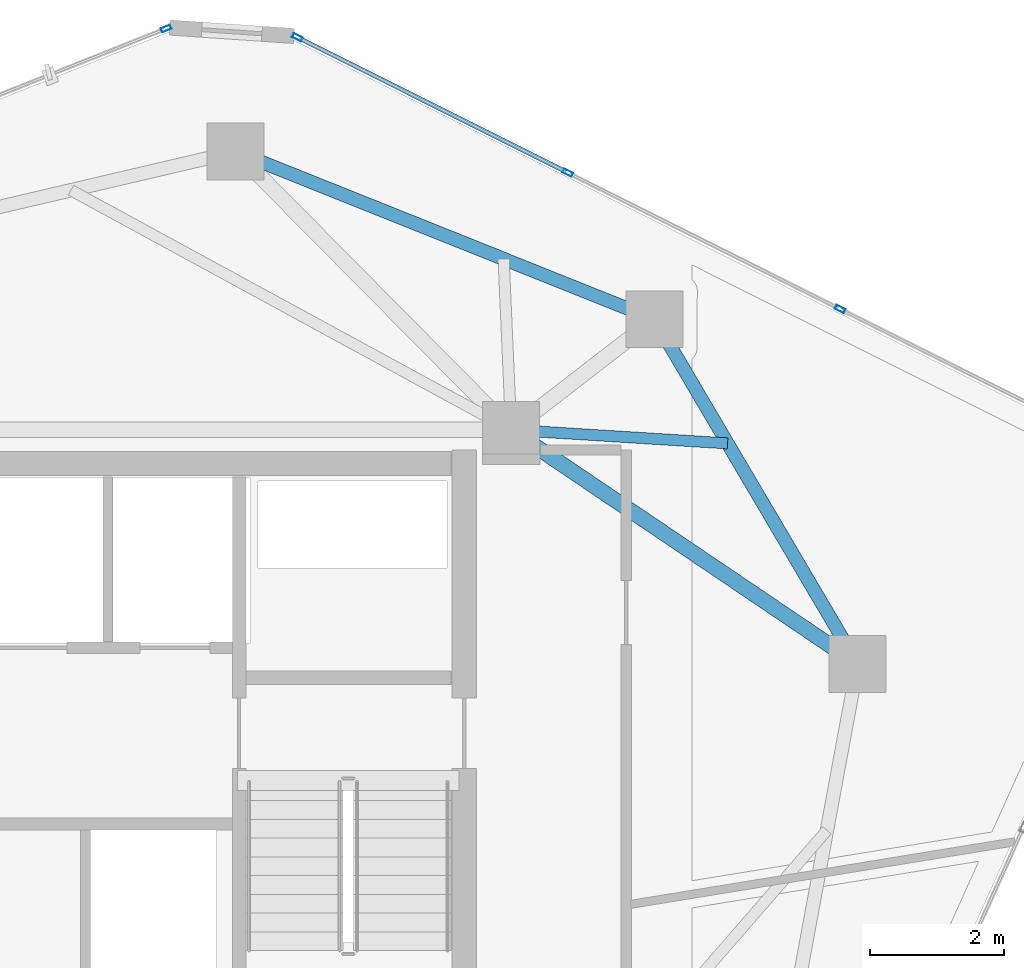
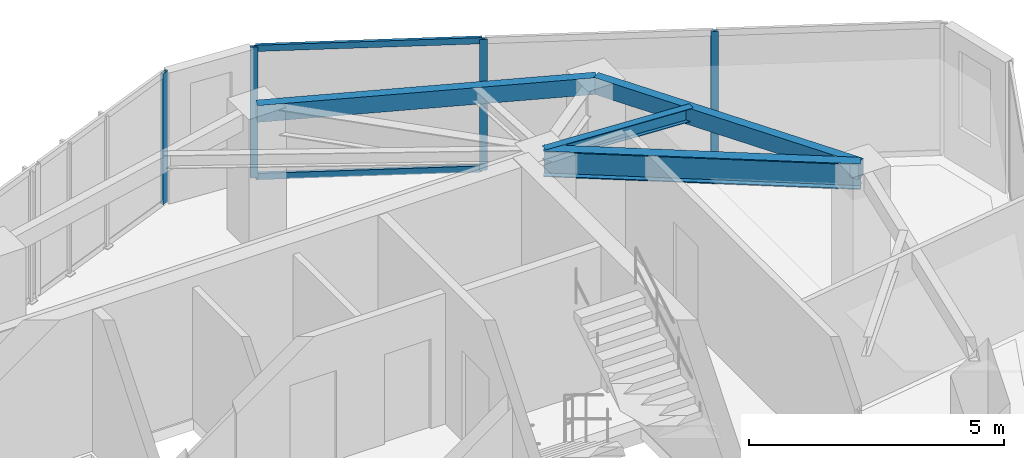
# One storey, part 14 of 20: 6 members, 4 beams, 2 elements without a shape of their own.
"""IFC4 building model written with IfcOpenShell, lengths in metres."""

import ifcopenshell
import ifcopenshell.guid

model = None  # the IFC model being written
_history = None  # IfcOwnerHistory: only IFC2X3 demands one
_inside = {}  # id of a spatial element -> (the spatial element, [elements in it])
_under = {}  # id of a project, library or spatial element -> (it, [spatial elements below it])
_declared = {}  # id of a project -> (the project, [libraries it declares])
_typed = {}  # id of a type object -> (the type object, [elements of that type])
_made_of = {}  # id of a material, layer set ... -> (it, [elements and type objects made of it])


def new_model(schema):
    """Start an empty IFC model of exactly this schema.

    Asked for "IFC4X3", IfcOpenShell would pick the latest addendum, in which some entities
    have other attributes; the version numbers below select the first issue.
    IFC2X3 requires an IfcOwnerHistory on every rooted entity: one is made here for all.
    """
    global model, _history
    if schema == "IFC4X3":
        model = ifcopenshell.file(schema_version=(4, 3, 0, 0))
    else:
        model = ifcopenshell.file(schema=schema)
    _inside.clear()
    _under.clear()
    _declared.clear()
    _typed.clear()
    _made_of.clear()
    _history = None
    if model.schema == "IFC2X3":
        org = make("IfcOrganization", Name="unknown")
        user = make(
            "IfcPersonAndOrganization",
            ThePerson=make("IfcPerson", FamilyName="unknown"),
            TheOrganization=org,
        )
        app = make(
            "IfcApplication",
            ApplicationDeveloper=org,
            Version="unknown",
            ApplicationFullName="unknown",
            ApplicationIdentifier="unknown",
        )
        _history = make(
            "IfcOwnerHistory",
            OwningUser=user,
            OwningApplication=app,
            ChangeAction="ADDED",
            CreationDate=0,
        )
    return model


def make(cls, **values):
    """One entity of the class cls with the attributes given. An attribute that is None is left unset."""
    return model.create_entity(
        cls, **{name: value for name, value in values.items() if value is not None}
    )


def rooted(cls, **values):
    """An entity with a GlobalId (a new one), such as an element, a storey or a relation."""
    return make(cls, GlobalId=ifcopenshell.guid.new(), OwnerHistory=_history, **values)


def si_unit(unit_type, name, prefix=None):
    """IfcSIUnit, for example si_unit("LENGTHUNIT", "METRE", prefix="MILLI")."""
    return make("IfcSIUnit", UnitType=unit_type, Prefix=prefix, Name=name)


def assignment(units):
    """IfcUnitAssignment: the units of a project."""
    return None if units is None else make("IfcUnitAssignment", Units=units)


def point(xyz):
    """IfcCartesianPoint."""
    return None if xyz is None else make("IfcCartesianPoint", Coordinates=xyz)


def direction(xyz):
    """IfcDirection."""
    return None if xyz is None else make("IfcDirection", DirectionRatios=xyz)


def frame(location, z_axis=None, x_axis=None):
    """IfcAxis2Placement3D, a coordinate frame: its origin and axes. An axis left out is left unset."""
    return make(
        "IfcAxis2Placement3D",
        Location=point(location),
        Axis=direction(z_axis),
        RefDirection=direction(x_axis),
    )


def frame_2d(location, x_axis=None):
    """IfcAxis2Placement2D, a coordinate frame in the plane: its origin and x axis."""
    return make(
        "IfcAxis2Placement2D", Location=point(location), RefDirection=direction(x_axis)
    )


def origin():
    """The frame at (0, 0, 0) with its axes left unset."""
    return frame((0.0, 0.0, 0.0))


def origin_2d():
    """The frame at (0, 0) in the plane with its x axis left unset."""
    return frame_2d((0.0, 0.0))


def place(relative_to, where):
    """IfcLocalPlacement: puts the frame where relative to a parent placement (None: the world)."""
    return make(
        "IfcLocalPlacement", PlacementRelTo=relative_to, RelativePlacement=where
    )


def context(
    kind, dimensions, precision=None, world=None, true_north=None, identifier=None
):
    """IfcGeometricRepresentationContext, for example the 3D "Model" context."""
    return make(
        "IfcGeometricRepresentationContext",
        ContextIdentifier=identifier,
        ContextType=kind,
        CoordinateSpaceDimension=dimensions,
        Precision=precision,
        WorldCoordinateSystem=world,
        TrueNorth=true_north,
    )


def subcontext(parent, identifier, kind, view, scale=None):
    """IfcGeometricRepresentationSubContext, for example "Body" below "Model"."""
    return make(
        "IfcGeometricRepresentationSubContext",
        ContextIdentifier=identifier,
        ContextType=kind,
        ParentContext=parent,
        TargetScale=scale,
        TargetView=view,
    )


def project(units=None, contexts=None):
    """IfcProject with its units and contexts."""
    return rooted(
        "IfcProject",
        Name="project",
        RepresentationContexts=contexts,
        UnitsInContext=assignment(units),
    )


def spatial(cls, under=None, at=None, **own):
    """A site, building, storey or space (cls), placed at a placement, below another one or the project."""
    s = rooted(cls, ObjectPlacement=at, **own)
    if under is not None:
        _under.setdefault(under.id(), (under, []))[1].append(s)
    return s


def profile(cls, at=None, kind="AREA", **sizes):
    """A parametric profile (cls). Its sizes go by their IFC names, for example OverallWidth=200.0."""
    return make(cls, ProfileType=kind, Position=at, **sizes)


def hollow_rectangle(**sizes):
    """IfcRectangleHollowProfileDef."""
    return profile("IfcRectangleHollowProfileDef", **sizes)


def i_section(**sizes):
    """IfcIShapeProfileDef."""
    return profile("IfcIShapeProfileDef", **sizes)


def extrude(swept, where, along, depth):
    """IfcExtrudedAreaSolid: the profile swept, set in the frame where, extruded along a direction by depth."""
    return make(
        "IfcExtrudedAreaSolid",
        SweptArea=swept,
        Position=where,
        ExtrudedDirection=direction(along),
        Depth=depth,
    )


def shape(context_of_items, identifier, shape_type, items):
    """IfcShapeRepresentation: the items that make up one representation, for example the "Body"."""
    return make(
        "IfcShapeRepresentation",
        ContextOfItems=context_of_items,
        RepresentationIdentifier=identifier,
        RepresentationType=shape_type,
        Items=items,
    )


def source(mapping_origin, context_of_items, identifier, shape_type, items):
    """IfcRepresentationMap: a shape defined once, which mapped items show again and again."""
    return make(
        "IfcRepresentationMap",
        MappingOrigin=mapping_origin,
        MappedRepresentation=shape(context_of_items, identifier, shape_type, items),
    )


def transform(
    local_origin,
    x_axis=None,
    y_axis=None,
    z_axis=None,
    scale=None,
    scale2=None,
    scale3=None,
    uniform=True,
):
    """IfcCartesianTransformationOperator3D, or its non-uniform kind. x_axis, y_axis, z_axis: its Axis1, 2, 3."""
    if uniform:
        return make(
            "IfcCartesianTransformationOperator3D",
            Axis1=direction(x_axis),
            Axis2=direction(y_axis),
            LocalOrigin=point(local_origin),
            Scale=scale,
            Axis3=direction(z_axis),
        )
    return make(
        "IfcCartesianTransformationOperator3DnonUniform",
        Axis1=direction(x_axis),
        Axis2=direction(y_axis),
        LocalOrigin=point(local_origin),
        Scale=scale,
        Axis3=direction(z_axis),
        Scale2=scale2,
        Scale3=scale3,
    )


def mapped(mapping_source, mapping_target):
    """IfcMappedItem: shows the shape of a source again, moved by a transform."""
    return make(
        "IfcMappedItem", MappingSource=mapping_source, MappingTarget=mapping_target
    )


def material(Name=None, Category=None):
    """IfcMaterial."""
    return make("IfcMaterial", Name=Name, Category=Category)


def layer(
    of_material, thickness, ventilated=None, Name=None, Category=None, Priority=None
):
    """IfcMaterialLayer: one layer of a wall or slab, of a material (None: an air gap)."""
    return make(
        "IfcMaterialLayer",
        Material=of_material,
        LayerThickness=thickness,
        IsVentilated=ventilated,
        Name=Name,
        Category=Category,
        Priority=Priority,
    )


def layer_set(layers, Name=None):
    """IfcMaterialLayerSet."""
    return make("IfcMaterialLayerSet", MaterialLayers=layers, LayerSetName=Name)


def material_profile(
    of_material, cross_section, Name=None, Category=None, Priority=None
):
    """IfcMaterialProfile: a cross section and its material."""
    return make(
        "IfcMaterialProfile",
        Name=Name,
        Material=of_material,
        Profile=cross_section,
        Priority=Priority,
        Category=Category,
    )


def profile_set(profiles, Name=None, composite=None):
    """IfcMaterialProfileSet."""
    return make(
        "IfcMaterialProfileSet",
        Name=Name,
        MaterialProfiles=profiles,
        CompositeProfile=composite,
    )


def made_of(thing, what):
    """Note that an element or type object is made of a material, layer set ...; save() writes the relation."""
    if what is not None:
        _made_of.setdefault(what.id(), (what, []))[1].append(thing)
    return thing


def type_object(cls, material=None, **own):
    """A type object (cls), such as IfcWallType, which elements share."""
    return made_of(rooted(cls, **own), material)


def type_shapes(of_type, sources):
    """Give a type object the sources (RepresentationMaps) that its elements show as mapped items."""
    of_type.RepresentationMaps = sources


def element(
    cls,
    number,
    at=None,
    inside=None,
    cuts=None,
    type_object=None,
    material=None,
    context=None,
    identifier="Body",
    shape_type=None,
    held_by="IfcProductDefinitionShape",
    body=None,
    shapes=None,
    **own,
):
    """One element of the class cls, such as IfcWall. Its Tag is "e" and its number.

    at: its placement. inside: the storey or other place that contains it. cuts: it is an
    opening in that element (IfcRelVoidsElement). A single representation is given by context,
    identifier, shape_type and body (its items); several are given by shapes. held_by: the class
    of the entity that holds the representations. save() writes the other relations.
    """
    e = rooted(cls, Tag="e%d" % number, ObjectPlacement=at, **own)
    if body is not None:
        shapes = [shape(context, identifier, shape_type, body)]
    if shapes is not None:
        e.Representation = make(held_by, Representations=shapes)
    if inside is not None:
        _inside.setdefault(inside.id(), (inside, []))[1].append(e)
    if cuts is not None:
        rooted(
            "IfcRelVoidsElement", RelatingBuildingElement=cuts, RelatedOpeningElement=e
        )
    if type_object is not None:
        _typed.setdefault(type_object.id(), (type_object, []))[1].append(e)
    return made_of(e, material)


def aggregate(whole, parts):
    """IfcRelAggregates: a whole, such as a stair, and the parts it consists of."""
    return rooted("IfcRelAggregates", RelatingObject=whole, RelatedObjects=parts)


def save(model, path):
    """Write the relations noted so far, then the file.

    IfcRelAggregates (storeys below a building ...), IfcRelContainedInSpatialStructure (elements
    in a storey), IfcRelDefinesByType, IfcRelAssociatesMaterial and IfcRelDeclares: one each for
    every whole, place, type object, material and project.
    """
    for whole, parts in _under.values():
        aggregate(whole, parts)
    for where, things in _inside.values():
        rooted(
            "IfcRelContainedInSpatialStructure",
            RelatedElements=things,
            RelatingStructure=where,
        )
    for kind, things in _typed.values():
        rooted("IfcRelDefinesByType", RelatedObjects=things, RelatingType=kind)
    for what, things in _made_of.values():
        rooted("IfcRelAssociatesMaterial", RelatedObjects=things, RelatingMaterial=what)
    for by, libraries in _declared.values():
        rooted("IfcRelDeclares", RelatingContext=by, RelatedDefinitions=libraries)
    model.write(path)


model = new_model("IFC4")

# Units and contexts
model_context = context("Model", 3, precision=1e-05, world=origin(), true_north=direction((0.0, 1.0)))
body_context = subcontext(model_context, "Body", "Model", "MODEL_VIEW")
ifc_project = project(units=[si_unit("LENGTHUNIT", "METRE"), si_unit("AREAUNIT", "SQUARE_METRE"), si_unit("VOLUMEUNIT", "CUBIC_METRE"), si_unit("PLANEANGLEUNIT", "RADIAN"), si_unit("MASSUNIT", "GRAM", prefix="KILO")], contexts=[model_context])

# Site, building, storey
site_placement = place(None, origin())
site = spatial("IfcSite", under=ifc_project, at=site_placement, CompositionType="ELEMENT")
building_placement = place(site_placement, origin())
building = spatial("IfcBuilding", under=site, at=building_placement, Name="Talar Marvaseh", CompositionType="ELEMENT")
storey_placement = place(building_placement, frame((0.0, 0.0, 278.199951171875)))
storey = spatial("IfcBuildingStorey", under=building, at=storey_placement, Name="L74", CompositionType="ELEMENT", Elevation=278.199951171875)

# Beams
ifc_material_1 = material(Name="Steel S355", Category="steel")
ifc_material_profile_1 = material_profile(ifc_material_1, hollow_rectangle(XDim=0.199951171875, YDim=0.39990234375, WallThickness=0.013916015625, at=origin_2d()), Name="RHS400x200x14")
ifc_profile_set_1 = profile_set([ifc_material_profile_1], Name="Steel S355")
beam_type_1 = type_object("IfcBeamType", Name="Zone 3 Perimeter Spandrel Beam RHS400x200x14", PredefinedType="SPANDREL", material=ifc_profile_set_1)
beam_1_placement = place(storey_placement, frame((29.18798828125, 41.052001953125, 2.93994140625), z_axis=(0.928426659475, -0.371515730456, 0.0), x_axis=(0.371515730456, 0.928426659475, 0.0)))
element("IfcBeam", 1, at=beam_1_placement, inside=storey, type_object=beam_type_1, Name="L74 Zone 3 Perimeter Spandrel Beam RHS400x200x14", PredefinedType="SPANDREL", context=body_context, shape_type="SweptSolid", body=[
    extrude(hollow_rectangle(XDim=0.199951171875, YDim=0.39990234375, WallThickness=0.013916015625, at=origin_2d()), origin(), (0.0, 0.0, 1.0), 6.73193359375),
])
beam_2_placement = place(storey_placement, frame((35.43798828125, 38.551025390625, 2.93994140625), z_axis=(0.507825587611, -0.861459907696, 0.0), x_axis=(0.861459907696, 0.507825587611, 0.0)))
element("IfcBeam", 2, at=beam_2_placement, inside=storey, type_object=beam_type_1, Name="L74 Zone 3 Perimeter Spandrel Beam RHS400x200x14", PredefinedType="SPANDREL", context=body_context, shape_type="SweptSolid", body=[
    extrude(hollow_rectangle(XDim=0.199951171875, YDim=0.39990234375, WallThickness=0.013916015625, at=origin_2d()), origin(), (0.0, 0.0, 1.0), 5.972412109375),
])
ifc_material_profile_2 = material_profile(ifc_material_1, i_section(OverallWidth=0.166015625, OverallDepth=0.31298828125, WebThickness=0.006591796875, FlangeThickness=0.01123046875, at=origin_2d()), Name="W310x45")
ifc_profile_set_2 = profile_set([ifc_material_profile_2], Name="Steel S355")
beam_type_2 = type_object("IfcBeamType", Name="Zone 3 Secondary Floor Joist W310x45", PredefinedType="JOIST", material=ifc_profile_set_2)
beam_3_placement = place(storey_placement, frame((36.52978515625, 36.69873046875, 2.983642578125), z_axis=(-0.998065766367, 0.062166920515, 0.0), x_axis=(-0.062166920515, -0.998065766367, 0.0)))
element("IfcBeam", 3, at=beam_3_placement, inside=storey, type_object=beam_type_2, Name="L74 Zone 3 Secondary Floor Joist W310x45", PredefinedType="JOIST", context=body_context, shape_type="SweptSolid", body=[
    extrude(i_section(OverallWidth=0.166015625, OverallDepth=0.31298828125, WebThickness=0.006591796875, FlangeThickness=0.01123046875, at=origin_2d()), origin(), (0.0, 0.0, 1.0), 3.236083984375),
])
ifc_material_profile_3 = material_profile(ifc_material_1, i_section(OverallWidth=0.22998046875, OverallDepth=0.616943359375, WebThickness=0.01318359375, FlangeThickness=0.022216796875, at=origin_2d()), Name="W610x140")
ifc_profile_set_3 = profile_set([ifc_material_profile_3], Name="Steel S355")
beam_type_3 = type_object("IfcBeamType", Name="Zone 4 Radial Floor Girder W610x140", PredefinedType="BEAM", material=ifc_profile_set_3)
beam_4_placement = place(storey_placement, frame((38.470947265625, 33.406005859375, 2.83154296875), z_axis=(-0.828585535277, 0.559862492698, 0.0), x_axis=(-0.559862492698, -0.828585535277, 0.0)))
element("IfcBeam", 4, at=beam_4_placement, inside=storey, type_object=beam_type_3, Name="L74 Zone 4 Radial Floor Girder W610x140", PredefinedType="BEAM", context=body_context, shape_type="SweptSolid", body=[
    extrude(i_section(OverallWidth=0.22998046875, OverallDepth=0.616943359375, WebThickness=0.01318359375, FlangeThickness=0.022216796875, at=origin_2d()), origin(), (0.0, 0.0, 1.0), 6.24072265625),
])

# Curtain wall, members
ifc_material_2 = material(Name="Architectural Aluminium", Category="aluminium")
ifc_layer = layer(ifc_material_2, 0.179931640625)
ifc_layer_set = layer_set([ifc_layer], Name="Architectural Aluminium")
curtain_wall_type = type_object("IfcCurtainWallType", Name="Unitised High-Wind Sky Curtain Wall Z4", PredefinedType="NOTDEFINED", material=ifc_layer_set)
curtain_wall_1_placement = place(storey_placement, origin())
curtain_wall_1 = element("IfcCurtainWall", 5, at=curtain_wall_1_placement, inside=storey, type_object=curtain_wall_type, Name="L74 Unitised High-Wind Sky Curtain Wall Z4", PredefinedType="NOTDEFINED")
ifc_material_profile_4 = material_profile(ifc_material_2, hollow_rectangle(XDim=0.06494140625, YDim=0.14990234375, WallThickness=0.00390625, at=origin_2d()), Name="RHS150x65x4")
ifc_profile_set_4 = profile_set([ifc_material_profile_4], Name="Architectural Aluminium")
member_type_1 = type_object("IfcMemberType", Name="Unitised Curtain Wall Slim Transom RHS150x65x4", PredefinedType="USERDEFINED", material=ifc_profile_set_4)
shared_shape_1 = source(origin(), body_context, "Body", "SweptSolid", [
    extrude(hollow_rectangle(XDim=0.06494140625, YDim=0.14990234375, WallThickness=0.00390625, at=origin_2d()), origin(), (0.0, 0.0, 1.0), 4.447509765625),
])
type_shapes(member_type_1, [shared_shape_1])
member_1_placement = place(storey_placement, frame((30.14013671875, 42.743408203125, 0.032470703125), z_axis=(0.894174534279, -0.447718552494, 0.0), x_axis=(0.447718552494, 0.894174534279, 0.0)))
member_1 = element("IfcMember", 6, at=member_1_placement, type_object=member_type_1, Name="CW-Z4 transom 1.1", ObjectType="TRANSOM", PredefinedType="USERDEFINED", context=body_context, shape_type="MappedRepresentation", body=[
    mapped(shared_shape_1, transform((0.0, 0.0, 0.0), x_axis=(1.0, 0.0, 0.0), y_axis=(0.0, 1.0, 0.0), z_axis=(0.0, 0.0, 1.0), scale=1.0)),
])
member_2_placement = place(storey_placement, frame((30.14013671875, 42.743408203125, 3.107666015625), z_axis=(0.894174534279, -0.447718552494, 0.0), x_axis=(0.447718552494, 0.894174534279, 0.0)))
member_2 = element("IfcMember", 7, at=member_2_placement, type_object=member_type_1, Name="CW-Z4 transom 1.2", ObjectType="TRANSOM", PredefinedType="USERDEFINED", context=body_context, shape_type="MappedRepresentation", body=[
    mapped(shared_shape_1, transform((0.0, 0.0, 0.0), x_axis=(1.0, 0.0, 0.0), y_axis=(0.0, 1.0, 0.0), z_axis=(0.0, 0.0, 1.0), scale=1.0)),
])

# Curtain wall, member
curtain_wall_2_placement = place(storey_placement, origin())
curtain_wall_2 = element("IfcCurtainWall", 8, at=curtain_wall_2_placement, inside=storey, type_object=curtain_wall_type, Name="L74 Unitised High-Wind Sky Curtain Wall Z4", PredefinedType="NOTDEFINED")
ifc_material_profile_5 = material_profile(ifc_material_2, hollow_rectangle(XDim=0.06494140625, YDim=0.14990234375, WallThickness=0.00390625, at=origin_2d()), Name="RHS150x65x4")
ifc_profile_set_5 = profile_set([ifc_material_profile_5], Name="Architectural Aluminium")
member_type_2 = type_object("IfcMemberType", Name="Unitised Curtain Wall Slim Mullion RHS150x65x4", PredefinedType="MULLION", material=ifc_profile_set_5)
shared_shape_2 = source(origin(), body_context, "Body", "SweptSolid", [
    extrude(hollow_rectangle(XDim=0.06494140625, YDim=0.14990234375, WallThickness=0.00390625, at=origin_2d()), origin(), (0.0, 0.0, 1.0), 3.14013671875),
])
type_shapes(member_type_2, [shared_shape_2])
member_3_placement = place(storey_placement, frame((28.150390625, 42.88818359375, 0.0), z_axis=(0.0, 0.0, 1.0), x_axis=(-0.369450452893, 0.929250430647, 0.0)))
member_3 = element("IfcMember", 9, at=member_3_placement, type_object=member_type_2, Name="CW-Z4 mullion 4", PredefinedType="MULLION", context=body_context, shape_type="MappedRepresentation", body=[
    mapped(shared_shape_2, transform((0.0, 0.0, 0.0), x_axis=(1.0, 0.0, 0.0), y_axis=(0.0, 1.0, 0.0), z_axis=(0.0, 0.0, 1.0), scale=1.0)),
])
aggregate(curtain_wall_2, [member_3])

# Member
member_4_placement = place(storey_placement, frame((30.11083984375, 42.758056640625, 0.0), z_axis=(0.0, 0.0, 1.0), x_axis=(0.447694654763, 0.894186499617, 0.0)))
member_4 = element("IfcMember", 10, at=member_4_placement, type_object=member_type_2, Name="CW-Z4 mullion 1", PredefinedType="MULLION", context=body_context, shape_type="MappedRepresentation", body=[
    mapped(shared_shape_2, transform((0.0, 0.0, 0.0), x_axis=(1.0, 0.0, 0.0), y_axis=(0.0, 1.0, 0.0), z_axis=(0.0, 0.0, 1.0), scale=1.0)),
])

member_5_placement = place(storey_placement, frame((34.14599609375, 40.73779296875, 0.0), z_axis=(0.0, 0.0, 1.0), x_axis=(0.447694654763, 0.894186499617, 0.0)))
member_5 = element("IfcMember", 11, at=member_5_placement, type_object=member_type_2, Name="CW-Z4 mullion 2", PredefinedType="MULLION", context=body_context, shape_type="MappedRepresentation", body=[
    mapped(shared_shape_2, transform((0.0, 0.0, 0.0), x_axis=(1.0, 0.0, 0.0), y_axis=(0.0, 1.0, 0.0), z_axis=(0.0, 0.0, 1.0), scale=1.0)),
])

member_6_placement = place(storey_placement, frame((38.2099609375, 38.703125, 0.0), z_axis=(0.0, 0.0, 1.0), x_axis=(0.447694654763, 0.894186499617, 0.0)))
member_6 = element("IfcMember", 12, at=member_6_placement, type_object=member_type_2, Name="CW-Z4 mullion 3", PredefinedType="MULLION", context=body_context, shape_type="MappedRepresentation", body=[
    mapped(shared_shape_2, transform((0.0, 0.0, 0.0), x_axis=(1.0, 0.0, 0.0), y_axis=(0.0, 1.0, 0.0), z_axis=(0.0, 0.0, 1.0), scale=1.0)),
])

aggregate(curtain_wall_1, [member_4, member_5, member_6, member_1, member_2])

save(model, "model.ifc")
